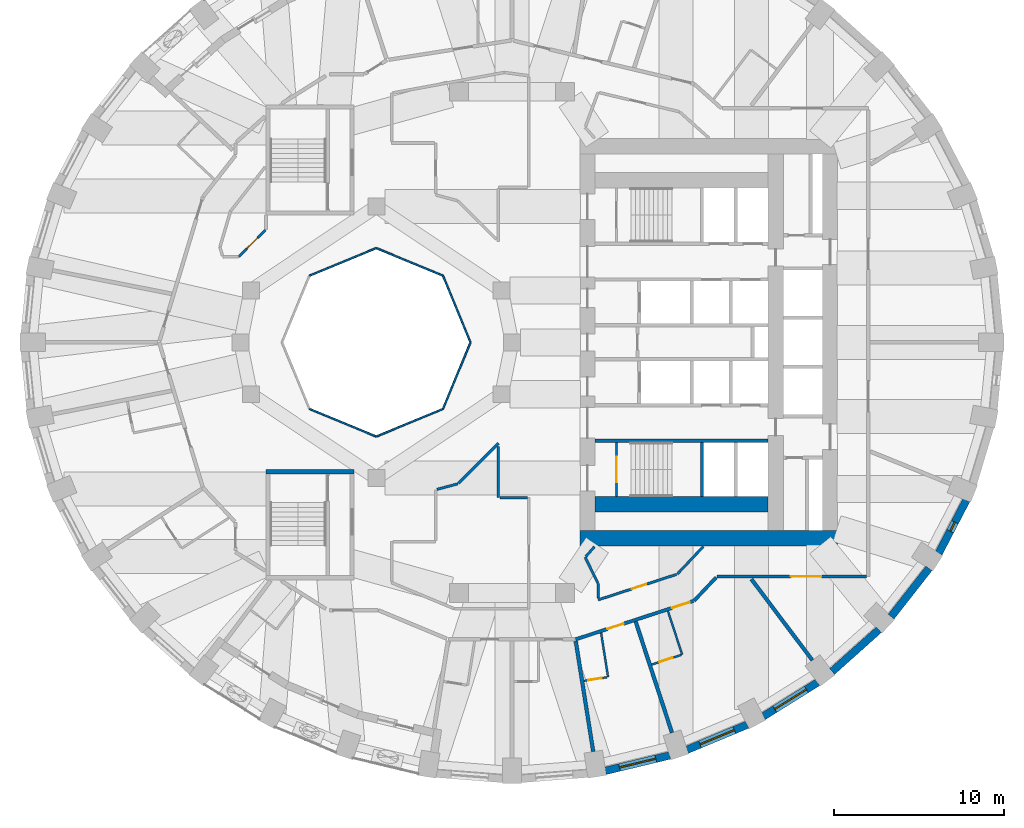
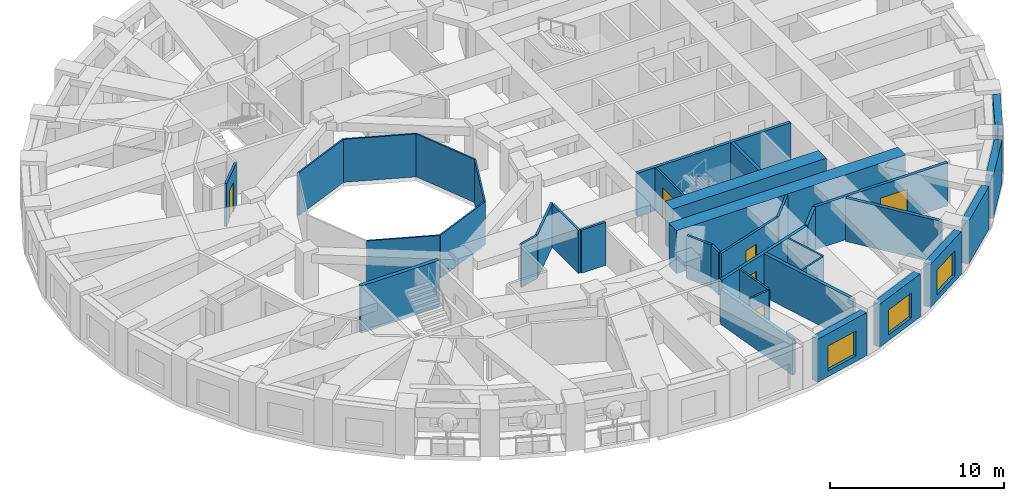
# One storey, part 5 of 13: 38 walls, 8 doors, 4 windows, 12 openings.
"""IFC4 building model written with IfcOpenShell, lengths in metres."""

from ifc_helpers import new_model, si_unit, direction, frame, frame_2d, origin, place, context, subcontext, project, spatial, rectangle, extrude, material, layer, layer_set, type_object, element, fill, save


model = new_model("IFC4")

# Units and contexts
model_context = context("Model", 3, precision=1e-05, world=origin(), true_north=direction((0.0, 1.0)))
body_context = subcontext(model_context, "Body", "Model", "MODEL_VIEW")
ifc_project = project(units=[si_unit("LENGTHUNIT", "METRE"), si_unit("AREAUNIT", "SQUARE_METRE"), si_unit("VOLUMEUNIT", "CUBIC_METRE"), si_unit("PLANEANGLEUNIT", "RADIAN"), si_unit("MASSUNIT", "GRAM", prefix="KILO")], contexts=[model_context])

# Site, building, storey
site_placement = place(None, origin())
site = spatial("IfcSite", under=ifc_project, at=site_placement, CompositionType="ELEMENT")
building_placement = place(site_placement, origin())
building = spatial("IfcBuilding", under=site, at=building_placement, Name="Taillehof Tower", CompositionType="ELEMENT")
storey_placement = place(building_placement, frame((0.0, 0.0, 41.5)))
storey = spatial("IfcBuildingStorey", under=building, at=storey_placement, Name="L10", CompositionType="ELEMENT", Elevation=41.5)

# Walls
ifc_material_1 = material(Name="Fire-resisting glass in steel frame", Category="steel")
ifc_layer_1 = layer(ifc_material_1, 0.10009765625)
ifc_layer_set_1 = layer_set([ifc_layer_1], Name="Atrium fire-resisting screen EI 60 100")
wall_type_1 = type_object("IfcWallType", Name="Atrium fire-resisting screen EI 60 100", PredefinedType="PARTITIONING", material=ifc_layer_set_1)
for number, where, z_axis, x_axis, name in (
    (1, (-2.44580078125, 0.0, 0.0), (0.0, 0.0, 1.0), (-0.382730523909, -0.923860025149, 0.0), "Atrium screen"),
    (2, (-4.07275390625, -3.92724609375, 0.0), (0.0, 0.0, 1.0), (-0.923860025149, -0.382730523909, 0.0), "Atrium screen"),
    (3, (-8.0, -5.55419921875, 0.0), (0.0, 0.0, 1.0), (-0.923860025149, 0.382730523909, 0.0), "Atrium screen"),
    (4, (-11.92724609375, 3.92724609375, 0.0), (0.0, 0.0, 1.0), (0.923860025149, 0.382730523909, 0.0), "Atrium screen"),
    (5, (-8.0, 5.55419921875, 0.0), (0.0, 0.0, 1.0), (0.923860025149, -0.382730523909, 0.0), "Atrium screen"),
    (6, (-4.07275390625, 3.92724609375, 0.0), (0.0, 0.0, 1.0), (0.382730523909, -0.923860025149, 0.0), "Atrium screen"),
):
    element("IfcWall", number, at=place(storey_placement, frame(where, z_axis=z_axis, x_axis=x_axis)), inside=storey, type_object=wall_type_1, Name=name, PredefinedType="PARTITIONING", context=body_context, shape_type="SweptSolid", body=[
        extrude(rectangle(XDim=4.2509765625, YDim=0.10009765625, at=frame_2d((2.12548828125, 0.0))), origin(), (0.0, 0.0, 1.0), 3.02001953125),
    ])

# Wall, opening, window
ifc_material_2 = material(Name="Brick masonry", Category="masonry")
ifc_layer_2 = layer(ifc_material_2, 0.449951171875)
ifc_layer_set_2 = layer_set([ifc_layer_2], Name="Brick infill wall 450")
wall_type_2 = type_object("IfcWallType", Name="Brick infill wall 450", PredefinedType="SOLIDWALL", material=ifc_layer_set_2)
wall_1_placement = place(storey_placement, frame((5.50439453125, -25.260498046875, 0.0), z_axis=(0.0, 0.0, 1.0), x_axis=(0.972496561493, 0.232917233979, 0.0)))
wall_1 = element("IfcWall", 7, at=wall_1_placement, inside=storey, type_object=wall_type_2, Name="Brick wall L10 bay 29", PredefinedType="SOLIDWALL", context=body_context, shape_type="SweptSolid", body=[
    extrude(rectangle(XDim=3.910888671875, YDim=0.449951171875, at=frame_2d((1.95556640625, 0.0))), origin(), (0.0, 0.0, 1.0), 3.02001953125),
])
opening_1_placement = place(wall_1_placement, frame((0.855224609375, 0.0, 0.39990234375)))
opening_1 = element("IfcOpeningElement", 8, at=opening_1_placement, cuts=wall_1, Name="Opening W1", PredefinedType="OPENING", context=body_context, shape_type="SweptSolid", body=[
    extrude(rectangle(XDim=2.199951171875, YDim=1.75, at=frame_2d((1.10009765625, 0.875))), frame((0.0, 0.23486328125, 0.0), z_axis=(0.0, -1.0, 0.0), x_axis=(1.0, 0.0, 0.0)), (0.0, 0.0, 1.0), 0.469970703125),
])
ifc_material_3 = material(Name="Aluminium window frame with clear double glazing", Category="aluminium")
window_type_1 = type_object("IfcWindowType", Name="Deep-set window 2200x1750", PartitioningType="SINGLE_PANEL", PredefinedType="WINDOW", material=ifc_material_3)
window_1_placement = place(opening_1_placement, origin())
window_1 = element("IfcWindow", 9, at=window_1_placement, inside=storey, type_object=window_type_1, Name="W1", OverallHeight=1.75, OverallWidth=2.199951171875, PartitioningType="SINGLE_PANEL", PredefinedType="WINDOW", context=body_context, shape_type="SweptSolid", body=[
    extrude(rectangle(XDim=2.199951171875, YDim=1.75, at=frame_2d((1.10009765625, 0.875))), frame((0.0, 0.034912109375, 0.0), z_axis=(0.0, -1.0, 0.0), x_axis=(1.0, 0.0, 0.0)), (0.0, 0.0, 1.0), 0.06005859375),
])
fill(opening_1, window_1)

wall_2_placement = place(storey_placement, frame((10.3154296875, -24.02099609375, 0.0), z_axis=(0.0, 0.0, 1.0), x_axis=(0.923031964282, 0.384723267966, 0.0)))
wall_2 = element("IfcWall", 10, at=wall_2_placement, inside=storey, type_object=wall_type_2, Name="Brick wall L10 bay 30", PredefinedType="SOLIDWALL", context=body_context, shape_type="SweptSolid", body=[
    extrude(rectangle(XDim=3.8564453125, YDim=0.449951171875, at=frame_2d((1.92822265625, 0.0))), origin(), (0.0, 0.0, 1.0), 3.02001953125),
])
opening_2_placement = place(wall_2_placement, frame((0.828125, 0.0, 0.39990234375)))
opening_2 = element("IfcOpeningElement", 11, at=opening_2_placement, cuts=wall_2, Name="Opening W1", PredefinedType="OPENING", context=body_context, shape_type="SweptSolid", body=[
    extrude(rectangle(XDim=2.199951171875, YDim=1.75, at=frame_2d((1.10009765625, 0.875))), frame((0.0, 0.23486328125, 0.0), z_axis=(0.0, -1.0, 0.0), x_axis=(1.0, 0.0, 0.0)), (0.0, 0.0, 1.0), 0.469970703125),
])
window_2_placement = place(opening_2_placement, origin())
window_2 = element("IfcWindow", 12, at=window_2_placement, inside=storey, type_object=window_type_1, Name="W1", OverallHeight=1.75, OverallWidth=2.199951171875, PartitioningType="SINGLE_PANEL", PredefinedType="WINDOW", context=body_context, shape_type="SweptSolid", body=[
    extrude(rectangle(XDim=2.199951171875, YDim=1.75, at=frame_2d((1.10009765625, 0.875))), frame((0.0, 0.034912109375, 0.0), z_axis=(0.0, -1.0, 0.0), x_axis=(1.0, 0.0, 0.0)), (0.0, 0.0, 1.0), 0.06005859375),
])
fill(opening_2, window_2)

wall_3_placement = place(storey_placement, frame((14.81689453125, -22.050537109375, 0.0), z_axis=(0.0, 0.0, 1.0), x_axis=(0.847635480093, 0.530579016629, 0.0)))
wall_3 = element("IfcWall", 13, at=wall_3_placement, inside=storey, type_object=wall_type_2, Name="Brick wall L10 bay 31", PredefinedType="SOLIDWALL", context=body_context, shape_type="SweptSolid", body=[
    extrude(rectangle(XDim=3.782470703125, YDim=0.449951171875, at=frame_2d((1.89111328125, 0.0))), origin(), (0.0, 0.0, 1.0), 3.02001953125),
])
opening_3_placement = place(wall_3_placement, frame((0.791259765625, 0.0, 0.39990234375)))
opening_3 = element("IfcOpeningElement", 14, at=opening_3_placement, cuts=wall_3, Name="Opening W1", PredefinedType="OPENING", context=body_context, shape_type="SweptSolid", body=[
    extrude(rectangle(XDim=2.199951171875, YDim=1.75, at=frame_2d((1.10009765625, 0.875))), frame((0.0, 0.23486328125, 0.0), z_axis=(0.0, -1.0, 0.0), x_axis=(1.0, 0.0, 0.0)), (0.0, 0.0, 1.0), 0.469970703125),
])
window_3_placement = place(opening_3_placement, origin())
window_3 = element("IfcWindow", 15, at=window_3_placement, inside=storey, type_object=window_type_1, Name="W1", OverallHeight=1.75, OverallWidth=2.199951171875, PartitioningType="SINGLE_PANEL", PredefinedType="WINDOW", context=body_context, shape_type="SweptSolid", body=[
    extrude(rectangle(XDim=2.199951171875, YDim=1.75, at=frame_2d((1.10009765625, 0.875))), frame((0.0, 0.034912109375, 0.0), z_axis=(0.0, -1.0, 0.0), x_axis=(1.0, 0.0, 0.0)), (0.0, 0.0, 1.0), 0.06005859375),
])
fill(opening_3, window_3)

# Walls
wall_4_placement = place(storey_placement, frame((18.87060546875, -19.406982421875, 0.0), z_axis=(0.0, 0.0, 1.0), x_axis=(0.745526233716, 0.66647628228, 0.0)))
element("IfcWall", 16, at=wall_4_placement, inside=storey, type_object=wall_type_2, Name="Brick wall L10 bay 32", PredefinedType="SOLIDWALL", context=body_context, shape_type="SweptSolid", body=[
    extrude(rectangle(XDim=3.69677734375, YDim=0.449951171875, at=frame_2d((1.848388671875, 0.0))), origin(), (0.0, 0.0, 1.0), 3.02001953125),
])
wall_5_placement = place(storey_placement, frame((22.3515625, -16.169677734375, 0.0), z_axis=(0.0, 0.0, 1.0), x_axis=(0.616661975264, 0.787228053529, 0.0)))
element("IfcWall", 17, at=wall_5_placement, inside=storey, type_object=wall_type_2, Name="Brick wall L10 bay 33", PredefinedType="SOLIDWALL", context=body_context, shape_type="SweptSolid", body=[
    extrude(rectangle(XDim=3.60986328125, YDim=0.449951171875, at=frame_2d((1.804931640625, 0.0))), origin(), (0.0, 0.0, 1.0), 3.02001953125),
])

# Wall, opening, window
wall_6_placement = place(storey_placement, frame((25.152099609375, -12.436767578125, 0.0), z_axis=(0.0, 0.0, 1.0), x_axis=(0.462492775226, 0.886623050041, 0.0)))
wall_6 = element("IfcWall", 18, at=wall_6_placement, inside=storey, type_object=wall_type_2, Name="Brick wall L10 bay 34", PredefinedType="SOLIDWALL", context=body_context, shape_type="SweptSolid", body=[
    extrude(rectangle(XDim=3.531982421875, YDim=0.449951171875, at=frame_2d((1.76611328125, 0.0))), origin(), (0.0, 0.0, 1.0), 3.02001953125),
])
opening_4_placement = place(wall_6_placement, frame((1.466064453125, 0.0, 0.39990234375)))
opening_4 = element("IfcOpeningElement", 19, at=opening_4_placement, cuts=wall_6, Name="Opening W6", PredefinedType="OPENING", context=body_context, shape_type="SweptSolid", body=[
    extrude(rectangle(XDim=0.60009765625, YDim=1.75, at=frame_2d((0.300048828125, 0.875))), frame((0.0, 0.23486328125, 0.0), z_axis=(0.0, -1.0, 0.0), x_axis=(1.0, 0.0, 0.0)), (0.0, 0.0, 1.0), 0.469970703125),
])
ifc_material_4 = material(Name="Aluminium window frame with clear double glazing", Category="aluminium")
window_type_2 = type_object("IfcWindowType", Name="Slot window 600x1750", PartitioningType="SINGLE_PANEL", PredefinedType="WINDOW", material=ifc_material_4)
window_4_placement = place(opening_4_placement, origin())
window_4 = element("IfcWindow", 20, at=window_4_placement, inside=storey, type_object=window_type_2, Name="W6", OverallHeight=1.75, OverallWidth=0.60009765625, PartitioningType="SINGLE_PANEL", PredefinedType="WINDOW", context=body_context, shape_type="SweptSolid", body=[
    extrude(rectangle(XDim=0.60009765625, YDim=1.75, at=frame_2d((0.300048828125, 0.875))), frame((0.0, 0.034912109375, 0.0), z_axis=(0.0, -1.0, 0.0), x_axis=(1.0, 0.0, 0.0)), (0.0, 0.0, 1.0), 0.06005859375),
])
fill(opening_4, window_4)

# Wall, opening, door
ifc_material_5 = material(Name="Gypsum board on steel studs, two layers each side", Category="steel")
ifc_layer_3 = layer(ifc_material_5, 0.199951171875)
ifc_layer_set_3 = layer_set([ifc_layer_3], Name="Compartment wall corridor 200")
wall_type_3 = type_object("IfcWallType", Name="Compartment wall corridor 200", PredefinedType="PARTITIONING", material=ifc_layer_set_3)
wall_7_placement = place(storey_placement, frame((20.89990234375, -13.800048828125, 0.0), z_axis=(0.0, 0.0, 1.0), x_axis=(-1.0, 0.0, 0.0)))
wall_7 = element("IfcWall", 21, at=wall_7_placement, inside=storey, type_object=wall_type_3, Name="Compartment wall", PredefinedType="PARTITIONING", context=body_context, shape_type="SweptSolid", body=[
    extrude(rectangle(XDim=8.8115234375, YDim=0.199951171875, at=frame_2d((4.40576171875, 0.0))), origin(), (0.0, 0.0, 1.0), 3.02001953125),
])
opening_5_placement = place(wall_7_placement, frame((2.66357421875, 0.0, 0.0)))
opening_5 = element("IfcOpeningElement", 22, at=opening_5_placement, cuts=wall_7, Name="Opening D1066", PredefinedType="OPENING", context=body_context, shape_type="SweptSolid", body=[
    extrude(rectangle(XDim=1.800048828125, YDim=2.10009765625, at=frame_2d((0.89990234375, 1.050048828125))), frame((0.0, 0.10986328125, 0.0), z_axis=(0.0, -1.0, 0.0), x_axis=(1.0, 0.0, 0.0)), (0.0, 0.0, 1.0), 0.219970703125),
])
ifc_material_6 = material(Name="Timber door leaf in steel frame", Category="steel")
door_type_1 = type_object("IfcDoorType", Name="Lounge and meeting room double door EI 30 1800 x 2100", OperationType="SINGLE_SWING_LEFT", PredefinedType="DOOR", material=ifc_material_6)
door_1_placement = place(opening_5_placement, origin())
door_1 = element("IfcDoor", 23, at=door_1_placement, inside=storey, type_object=door_type_1, Name="D1066", OperationType="DOUBLE_DOOR_SINGLE_SWING", OverallHeight=2.10009765625, OverallWidth=1.800048828125, PredefinedType="DOOR", context=body_context, shape_type="SweptSolid", body=[
    extrude(rectangle(XDim=1.800048828125, YDim=2.10009765625, at=frame_2d((0.89990234375, 1.050048828125))), frame((0.0, 0.02490234375, 0.0), z_axis=(0.0, -1.0, 0.0), x_axis=(1.0, 0.0, 0.0)), (0.0, 0.0, 1.0), 0.050048828125),
])
fill(opening_5, door_1)

# Wall
wall_8_placement = place(storey_placement, frame((12.03369140625, -13.857666015625, 0.0), z_axis=(0.0, 0.0, 1.0), x_axis=(-0.687458821662, -0.726223359938, 0.0)))
element("IfcWall", 24, at=wall_8_placement, inside=storey, type_object=wall_type_3, Name="Compartment wall", PredefinedType="PARTITIONING", context=body_context, shape_type="SweptSolid", body=[
    extrude(rectangle(XDim=1.895751953125, YDim=0.199951171875, at=frame_2d((0.94775390625, 0.0))), origin(), (0.0, 0.0, 1.0), 3.02001953125),
])

# Wall, openings, doors
wall_9_placement = place(storey_placement, frame((10.6923828125, -15.24658203125, 0.0), z_axis=(0.0, 0.0, 1.0), x_axis=(-0.950852414815, -0.309644449718, 0.0)))
wall_9 = element("IfcWall", 25, at=wall_9_placement, inside=storey, type_object=wall_type_3, Name="Compartment wall", PredefinedType="PARTITIONING", context=body_context, shape_type="SweptSolid", body=[
    extrude(rectangle(XDim=7.295654296875, YDim=0.199951171875, at=frame_2d((3.64794921875, 0.0))), origin(), (0.0, 0.0, 1.0), 3.02001953125),
])
opening_6_placement = place(wall_9_placement, frame((4.326904296875, 0.0, 0.0)))
opening_6 = element("IfcOpeningElement", 26, at=opening_6_placement, cuts=wall_9, Name="Opening D1062", PredefinedType="OPENING", context=body_context, shape_type="SweptSolid", body=[
    extrude(rectangle(XDim=1.0, YDim=2.10009765625, at=frame_2d((0.5, 1.050048828125))), frame((0.0, 0.10986328125, 0.0), z_axis=(0.0, -1.0, 0.0), x_axis=(1.0, 0.0, 0.0)), (0.0, 0.0, 1.0), 0.219970703125),
])
opening_7_placement = place(wall_9_placement, frame((0.219970703125, 0.0, 0.0)))
opening_7 = element("IfcOpeningElement", 27, at=opening_7_placement, cuts=wall_9, Name="Opening D1064", PredefinedType="OPENING", context=body_context, shape_type="SweptSolid", body=[
    extrude(rectangle(XDim=1.10009765625, YDim=2.10009765625, at=frame_2d((0.550048828125, 1.050048828125))), frame((0.0, 0.10986328125, 0.0), z_axis=(0.0, -1.0, 0.0), x_axis=(1.0, 0.0, 0.0)), (0.0, 0.0, 1.0), 0.219970703125),
])
ifc_material_7 = material(Name="Timber door leaf in steel frame", Category="steel")
door_type_2 = type_object("IfcDoorType", Name="Guest room door EI 30 1000 x 2100", OperationType="SINGLE_SWING_LEFT", PredefinedType="DOOR", material=ifc_material_7)
door_2_placement = place(opening_6_placement, origin())
door_2 = element("IfcDoor", 28, at=door_2_placement, inside=storey, type_object=door_type_2, Name="D1062", OperationType="SINGLE_SWING_RIGHT", OverallHeight=2.10009765625, OverallWidth=1.0, PredefinedType="DOOR", context=body_context, shape_type="SweptSolid", body=[
    extrude(rectangle(XDim=1.0, YDim=2.10009765625, at=frame_2d((0.5, 1.050048828125))), frame((0.0, 0.02490234375, 0.0), z_axis=(0.0, -1.0, 0.0), x_axis=(1.0, 0.0, 0.0)), (0.0, 0.0, 1.0), 0.050048828125),
])
fill(opening_6, door_2)
ifc_material_8 = material(Name="Timber door leaf in steel frame", Category="steel")
door_type_3 = type_object("IfcDoorType", Name="Suite entrance door EI 30 1100 x 2100", OperationType="SINGLE_SWING_LEFT", PredefinedType="DOOR", material=ifc_material_8)
door_3_placement = place(opening_7_placement, origin())
door_3 = element("IfcDoor", 29, at=door_3_placement, inside=storey, type_object=door_type_3, Name="D1064", OperationType="SINGLE_SWING_RIGHT", OverallHeight=2.10009765625, OverallWidth=1.10009765625, PredefinedType="DOOR", context=body_context, shape_type="SweptSolid", body=[
    extrude(rectangle(XDim=1.10009765625, YDim=2.10009765625, at=frame_2d((0.550048828125, 1.050048828125))), frame((0.0, 0.02490234375, 0.0), z_axis=(0.0, -1.0, 0.0), x_axis=(1.0, 0.0, 0.0)), (0.0, 0.0, 1.0), 0.050048828125),
])
fill(opening_7, door_3)

# Walls
ifc_material_9 = material(Name="Gypsum board on double steel studs with mineral wool", Category="steel")
ifc_layer_4 = layer(ifc_material_9, 0.219970703125)
ifc_layer_set_4 = layer_set([ifc_layer_4], Name="Compartment wall guest room 220")
wall_type_4 = type_object("IfcWallType", Name="Compartment wall guest room 220", PredefinedType="PARTITIONING", material=ifc_layer_set_4)
wall_10_placement = place(storey_placement, frame((4.788330078125, -24.12548828125, 0.0), z_axis=(0.0, 0.0, 1.0), x_axis=(-0.156122228938, 0.987737743347, 0.0)))
element("IfcWall", 30, at=wall_10_placement, inside=storey, type_object=wall_type_4, Name="Compartment wall", PredefinedType="PARTITIONING", context=body_context, shape_type="SweptSolid", body=[
    extrude(rectangle(XDim=6.595947265625, YDim=0.219970703125, at=frame_2d((3.2978515625, 0.0))), origin(), (0.0, 0.0, 1.0), 2.469970703125),
])
wall_11_placement = place(storey_placement, frame((9.429443359375, -23.01416015625, 0.0), z_axis=(0.0, 0.0, 1.0), x_axis=(-0.310230029144, 0.950661521793, 0.0)))
element("IfcWall", 31, at=wall_11_placement, inside=storey, type_object=wall_type_4, Name="Compartment wall", PredefinedType="PARTITIONING", context=body_context, shape_type="SweptSolid", body=[
    extrude(rectangle(XDim=6.89453125, YDim=0.219970703125, at=frame_2d((3.447265625, 0.0))), origin(), (0.0, 0.0, 1.0), 3.02001953125),
])
wall_12_placement = place(storey_placement, frame((17.707763671875, -18.7431640625, 0.0), z_axis=(0.0, 0.0, 1.0), x_axis=(-0.601181461694, 0.799112539081, 0.0)))
element("IfcWall", 32, at=wall_12_placement, inside=storey, type_object=wall_type_4, Name="Compartment wall", PredefinedType="PARTITIONING", context=body_context, shape_type="SweptSolid", body=[
    extrude(rectangle(XDim=5.98095703125, YDim=0.219970703125, at=frame_2d((2.990478515625, 0.0))), origin(), (0.0, 0.0, 1.0), 3.02001953125),
])

# Wall, opening, door
ifc_material_10 = material(Name="Gypsum board on steel studs, two layers each side", Category="steel")
ifc_layer_5 = layer(ifc_material_10, 0.14990234375)
ifc_layer_set_5 = layer_set([ifc_layer_5], Name="Compartment wall service room 150")
wall_type_5 = type_object("IfcWallType", Name="Compartment wall service room 150", PredefinedType="PARTITIONING", material=ifc_layer_set_5)
wall_13_placement = place(storey_placement, frame((-14.54248046875, 6.609619140625, 0.0), z_axis=(0.0, 0.0, 1.0), x_axis=(-0.707106781187, -0.707106781187, 0.0)))
wall_13 = element("IfcWall", 33, at=wall_13_placement, inside=storey, type_object=wall_type_5, Name="Compartment wall", PredefinedType="PARTITIONING", context=body_context, shape_type="SweptSolid", body=[
    extrude(rectangle(XDim=2.194580078125, YDim=0.14990234375, at=frame_2d((1.09716796875, 0.0))), origin(), (0.0, 0.0, 1.0), 3.02001953125),
])
opening_8_placement = place(wall_13_placement, frame((0.647216796875, 0.0, 0.0)))
opening_8 = element("IfcOpeningElement", 34, at=opening_8_placement, cuts=wall_13, Name="Opening D1072", PredefinedType="OPENING", context=body_context, shape_type="SweptSolid", body=[
    extrude(rectangle(XDim=0.89990234375, YDim=2.10009765625, at=frame_2d((0.449951171875, 1.050048828125))), frame((0.0, 0.0849609375, 0.0), z_axis=(0.0, -1.0, 0.0), x_axis=(1.0, 0.0, 0.0)), (0.0, 0.0, 1.0), 0.169921875),
])
ifc_material_11 = material(Name="Timber door leaf in steel frame", Category="steel")
door_type_4 = type_object("IfcDoorType", Name="Service room door EI 30 900 x 2100", OperationType="SINGLE_SWING_LEFT", PredefinedType="DOOR", material=ifc_material_11)
door_4_placement = place(opening_8_placement, origin())
door_4 = element("IfcDoor", 35, at=door_4_placement, inside=storey, type_object=door_type_4, Name="D1072", OperationType="SINGLE_SWING_RIGHT", OverallHeight=2.10009765625, OverallWidth=0.89990234375, PredefinedType="DOOR", context=body_context, shape_type="SweptSolid", body=[
    extrude(rectangle(XDim=0.89990234375, YDim=2.10009765625, at=frame_2d((0.449951171875, 1.050048828125))), frame((0.0, 0.02490234375, 0.0), z_axis=(0.0, -1.0, 0.0), x_axis=(1.0, 0.0, 0.0)), (0.0, 0.0, 1.0), 0.050048828125),
])
fill(opening_8, door_4)

# Walls
wall_14_placement = place(storey_placement, frame((-4.4228515625, -8.669677734375, 0.0), z_axis=(0.0, 0.0, 1.0), x_axis=(0.965898680525, 0.258920333232, 0.0)))
element("IfcWall", 36, at=wall_14_placement, inside=storey, type_object=wall_type_5, Name="Compartment wall", PredefinedType="PARTITIONING", context=body_context, shape_type="SweptSolid", body=[
    extrude(rectangle(XDim=1.280517578125, YDim=0.14990234375, at=frame_2d((0.64013671875, 0.0))), origin(), (0.0, 0.0, 1.0), 3.02001953125),
])
wall_15_placement = place(storey_placement, frame((-3.15771484375, -8.309814453125, 0.0), z_axis=(0.0, 0.0, 1.0), x_axis=(0.707106781187, 0.707106781187, 0.0)))
element("IfcWall", 37, at=wall_15_placement, inside=storey, type_object=wall_type_5, Name="Compartment wall", PredefinedType="PARTITIONING", context=body_context, shape_type="SweptSolid", body=[
    extrude(rectangle(XDim=3.334228515625, YDim=0.14990234375, at=frame_2d((1.6669921875, 0.0))), origin(), (0.0, 0.0, 1.0), 3.02001953125),
])
wall_16_placement = place(storey_placement, frame((-0.800048828125, -6.13232421875, 0.0), z_axis=(0.0, 0.0, 1.0), x_axis=(0.0, -1.0, 0.0)))
element("IfcWall", 38, at=wall_16_placement, inside=storey, type_object=wall_type_5, Name="Compartment wall", PredefinedType="PARTITIONING", context=body_context, shape_type="SweptSolid", body=[
    extrude(rectangle(XDim=3.017578125, YDim=0.14990234375, at=frame_2d((1.5087890625, 0.0))), origin(), (0.0, 0.0, 1.0), 3.02001953125),
])
wall_17_placement = place(storey_placement, frame((-0.719970703125, -9.14990234375, 0.0), z_axis=(0.0, 0.0, 1.0), x_axis=(1.0, 0.0, 0.0)))
element("IfcWall", 39, at=wall_17_placement, inside=storey, type_object=wall_type_5, Name="Compartment wall", PredefinedType="PARTITIONING", context=body_context, shape_type="SweptSolid", body=[
    extrude(rectangle(XDim=1.639892578125, YDim=0.14990234375, at=frame_2d((0.81982421875, 0.0))), origin(), (0.0, 0.0, 1.0), 3.02001953125),
])
wall_18_placement = place(storey_placement, frame((11.273193359375, -12.042724609375, 0.0), z_axis=(0.0, 0.0, 1.0), x_axis=(-0.687435283659, -0.7262456408, 0.0)))
element("IfcWall", 40, at=wall_18_placement, inside=storey, type_object=wall_type_5, Name="Compartment wall", PredefinedType="PARTITIONING", context=body_context, shape_type="SweptSolid", body=[
    extrude(rectangle(XDim=2.233154296875, YDim=0.14990234375, at=frame_2d((1.11669921875, 0.0))), origin(), (0.0, 0.0, 1.0), 3.02001953125),
])

# Wall, opening, door
wall_19_placement = place(storey_placement, frame((9.699951171875, -13.6767578125, 0.0), z_axis=(0.0, 0.0, 1.0), x_axis=(-0.950854246358, -0.309638825381, 0.0)))
wall_19 = element("IfcWall", 41, at=wall_19_placement, inside=storey, type_object=wall_type_5, Name="Compartment wall", PredefinedType="PARTITIONING", context=body_context, shape_type="SweptSolid", body=[
    extrude(rectangle(XDim=4.86328125, YDim=0.14990234375, at=frame_2d((2.431640625, 0.0))), origin(), (0.0, 0.0, 1.0), 3.02001953125),
])
opening_9_placement = place(wall_19_placement, frame((1.8779296875, 0.0, 0.0)))
opening_9 = element("IfcOpeningElement", 42, at=opening_9_placement, cuts=wall_19, Name="Opening D1074", PredefinedType="OPENING", context=body_context, shape_type="SweptSolid", body=[
    extrude(rectangle(XDim=0.89990234375, YDim=2.10009765625, at=frame_2d((0.449951171875, 1.050048828125))), frame((0.0, 0.0849609375, 0.0), z_axis=(0.0, -1.0, 0.0), x_axis=(1.0, 0.0, 0.0)), (0.0, 0.0, 1.0), 0.169921875),
])
door_5_placement = place(opening_9_placement, origin())
door_5 = element("IfcDoor", 43, at=door_5_placement, inside=storey, type_object=door_type_4, Name="D1074", OperationType="SINGLE_SWING_RIGHT", OverallHeight=2.10009765625, OverallWidth=0.89990234375, PredefinedType="DOOR", context=body_context, shape_type="SweptSolid", body=[
    extrude(rectangle(XDim=0.89990234375, YDim=2.10009765625, at=frame_2d((0.449951171875, 1.050048828125))), frame((0.0, 0.02490234375, 0.0), z_axis=(0.0, -1.0, 0.0), x_axis=(1.0, 0.0, 0.0)), (0.0, 0.0, 1.0), 0.050048828125),
])
fill(opening_9, door_5)

# Walls
wall_20_placement = place(storey_placement, frame((5.07568359375, -15.08251953125, 0.0), z_axis=(0.0, 0.0, 1.0), x_axis=(0.0, 1.0, 0.0)))
element("IfcWall", 44, at=wall_20_placement, inside=storey, type_object=wall_type_5, Name="Compartment wall", PredefinedType="PARTITIONING", context=body_context, shape_type="SweptSolid", body=[
    extrude(rectangle(XDim=0.8603515625, YDim=0.14990234375, at=frame_2d((0.43017578125, 0.0))), origin(), (0.0, 0.0, 1.0), 3.02001953125),
])
wall_21_placement = place(storey_placement, frame((5.05810546875, -14.18603515625, 0.0), z_axis=(0.0, 0.0, 1.0), x_axis=(-0.440556792244, 0.897724742228, 0.0)))
element("IfcWall", 45, at=wall_21_placement, inside=storey, type_object=wall_type_5, Name="Compartment wall", PredefinedType="PARTITIONING", context=body_context, shape_type="SweptSolid", body=[
    extrude(rectangle(XDim=1.690185546875, YDim=0.14990234375, at=frame_2d((0.84521484375, 0.0))), origin(), (0.0, 0.0, 1.0), 3.02001953125),
])
wall_22_placement = place(storey_placement, frame((4.35302734375, -12.623291015625, 0.0), z_axis=(0.0, 0.0, 1.0), x_axis=(0.660265480509, 0.751032286422, 0.0)))
element("IfcWall", 46, at=wall_22_placement, inside=storey, type_object=wall_type_5, Name="Compartment wall", PredefinedType="PARTITIONING", context=body_context, shape_type="SweptSolid", body=[
    extrude(rectangle(XDim=0.774658203125, YDim=0.14990234375, at=frame_2d((0.38720703125, 0.0))), origin(), (0.0, 0.0, 1.0), 2.570068359375),
])
ifc_material_12 = material(Name="Concrete C80/95", Category="concrete")
ifc_layer_6 = layer(ifc_material_12, 0.89990234375)
ifc_layer_set_6 = layer_set([ifc_layer_6], Name="Core wall C80/95 900")
wall_type_6 = type_object("IfcWallType", Name="Core wall C80/95 900", PredefinedType="SHEAR", material=ifc_layer_set_6)
wall_23_placement = place(storey_placement, frame((4.0, -11.550048828125, 0.0), z_axis=(0.0, 0.0, 1.0), x_axis=(1.0, 0.0, 0.0)))
element("IfcWall", 47, at=wall_23_placement, inside=storey, type_object=wall_type_6, Name="Core wall CW04", PredefinedType="SHEAR", context=body_context, shape_type="SweptSolid", body=[
    extrude(rectangle(XDim=15.199951171875, YDim=0.89990234375, at=frame_2d((7.60009765625, 0.0))), origin(), (0.0, 0.0, 1.0), 3.02001953125),
])
wall_24_placement = place(storey_placement, frame((4.89990234375, -9.550048828125, 0.0), z_axis=(0.0, 0.0, 1.0), x_axis=(1.0, 0.0, 0.0)))
element("IfcWall", 48, at=wall_24_placement, inside=storey, type_object=wall_type_6, Name="Core wall CW07", PredefinedType="SHEAR", context=body_context, shape_type="SweptSolid", body=[
    extrude(rectangle(XDim=10.2001953125, YDim=0.89990234375, at=frame_2d((5.10009765625, 0.0))), origin(), (0.0, 0.0, 1.0), 3.02001953125),
])
ifc_material_13 = material(Name="Gypsum board on steel studs, moisture resistant", Category="steel")
ifc_layer_7 = layer(ifc_material_13, 0.1201171875)
ifc_layer_set_7 = layer_set([ifc_layer_7], Name="En-suite wall 120")
wall_type_7 = type_object("IfcWallType", Name="En-suite wall 120", PredefinedType="PARTITIONING", material=ifc_layer_set_7)
wall_25_placement = place(storey_placement, frame((5.2509765625, -17.123779296875, 0.0), z_axis=(0.0, 0.0, 1.0), x_axis=(0.156104955519, -0.987740473435, 0.0)))
element("IfcWall", 49, at=wall_25_placement, inside=storey, type_object=wall_type_7, Name="En-suite wall", PredefinedType="PARTITIONING", context=body_context, shape_type="SweptSolid", body=[
    extrude(rectangle(XDim=2.6416015625, YDim=0.1201171875, at=frame_2d((1.32080078125, 0.0))), origin(), (0.0, 0.0, 1.0), 3.02001953125),
])
wall_26_placement = place(storey_placement, frame((9.192138671875, -15.84033203125, 0.0), z_axis=(0.0, 0.0, 1.0), x_axis=(0.310278328391, -0.950645758909, 0.0)))
element("IfcWall", 50, at=wall_26_placement, inside=storey, type_object=wall_type_7, Name="En-suite wall", PredefinedType="PARTITIONING", context=body_context, shape_type="SweptSolid", body=[
    extrude(rectangle(XDim=2.698974609375, YDim=0.1201171875, at=frame_2d((1.349609375, 0.0))), origin(), (0.0, 0.0, 1.0), 3.02001953125),
])

# Wall, opening, door
wall_27_placement = place(storey_placement, frame((5.60400390625, -19.7421875, 0.0), z_axis=(0.0, 0.0, 1.0), x_axis=(-0.987722767831, -0.156216945011, 0.0)))
wall_27 = element("IfcWall", 51, at=wall_27_placement, inside=storey, type_object=wall_type_7, Name="En-suite wall", PredefinedType="PARTITIONING", context=body_context, shape_type="SweptSolid", body=[
    extrude(rectangle(XDim=1.3798828125, YDim=0.1201171875, at=frame_2d((0.68994140625, 0.0))), origin(), (0.0, 0.0, 1.0), 3.02001953125),
])
opening_10_placement = place(wall_27_placement, frame((0.31494140625, 0.0, 0.0)))
opening_10 = element("IfcOpeningElement", 52, at=opening_10_placement, cuts=wall_27, Name="Opening D1063", PredefinedType="OPENING", context=body_context, shape_type="SweptSolid", body=[
    extrude(rectangle(XDim=0.800048828125, YDim=2.10009765625, at=frame_2d((0.39990234375, 1.050048828125))), frame((0.0, 0.070068359375, 0.0), z_axis=(0.0, -1.0, 0.0), x_axis=(1.0, 0.0, 0.0)), (0.0, 0.0, 1.0), 0.14013671875),
])
ifc_material_14 = material(Name="Timber door leaf in steel frame", Category="steel")
door_type_5 = type_object("IfcDoorType", Name="En-suite door 800 x 2100", OperationType="SINGLE_SWING_LEFT", PredefinedType="DOOR", material=ifc_material_14)
door_6_placement = place(opening_10_placement, origin())
door_6 = element("IfcDoor", 53, at=door_6_placement, inside=storey, type_object=door_type_5, Name="D1063", OperationType="SINGLE_SWING_RIGHT", OverallHeight=2.10009765625, OverallWidth=0.800048828125, PredefinedType="DOOR", context=body_context, shape_type="SweptSolid", body=[
    extrude(rectangle(XDim=0.800048828125, YDim=2.10009765625, at=frame_2d((0.39990234375, 1.050048828125))), frame((0.0, 0.02490234375, 0.0), z_axis=(0.0, -1.0, 0.0), x_axis=(1.0, 0.0, 0.0)), (0.0, 0.0, 1.0), 0.050048828125),
])
fill(opening_10, door_6)

wall_28_placement = place(storey_placement, frame((9.972412109375, -18.424560546875, 0.0), z_axis=(0.0, 0.0, 1.0), x_axis=(-0.950678536911, -0.31017788357, 0.0)))
wall_28 = element("IfcWall", 54, at=wall_28_placement, inside=storey, type_object=wall_type_7, Name="En-suite wall", PredefinedType="PARTITIONING", context=body_context, shape_type="SweptSolid", body=[
    extrude(rectangle(XDim=1.830078125, YDim=0.1201171875, at=frame_2d((0.9150390625, 0.0))), origin(), (0.0, 0.0, 1.0), 3.02001953125),
])
opening_11_placement = place(wall_28_placement, frame((0.5400390625, 0.0, 0.0)))
opening_11 = element("IfcOpeningElement", 55, at=opening_11_placement, cuts=wall_28, Name="Opening D1065", PredefinedType="OPENING", context=body_context, shape_type="SweptSolid", body=[
    extrude(rectangle(XDim=0.800048828125, YDim=2.10009765625, at=frame_2d((0.39990234375, 1.050048828125))), frame((0.0, 0.070068359375, 0.0), z_axis=(0.0, -1.0, 0.0), x_axis=(1.0, 0.0, 0.0)), (0.0, 0.0, 1.0), 0.14013671875),
])
door_7_placement = place(opening_11_placement, origin())
door_7 = element("IfcDoor", 56, at=door_7_placement, inside=storey, type_object=door_type_5, Name="D1065", OperationType="SINGLE_SWING_RIGHT", OverallHeight=2.10009765625, OverallWidth=0.800048828125, PredefinedType="DOOR", context=body_context, shape_type="SweptSolid", body=[
    extrude(rectangle(XDim=0.800048828125, YDim=2.10009765625, at=frame_2d((0.39990234375, 1.050048828125))), frame((0.0, 0.02490234375, 0.0), z_axis=(0.0, -1.0, 0.0), x_axis=(1.0, 0.0, 0.0)), (0.0, 0.0, 1.0), 0.050048828125),
])
fill(opening_11, door_7)

# Walls
ifc_material_15 = material(Name="Concrete C50/60", Category="concrete")
ifc_layer_8 = layer(ifc_material_15, 0.199951171875)
ifc_layer_set_8 = layer_set([ifc_layer_8], Name="Shaft wall C50/60 200")
wall_type_8 = type_object("IfcWallType", Name="Shaft wall C50/60 200", PredefinedType="SHEAR", material=ifc_layer_set_8)
wall_29_placement = place(storey_placement, frame((4.89990234375, -5.800048828125, 0.0), z_axis=(0.0, 0.0, 1.0), x_axis=(1.0, 0.0, 0.0)))
element("IfcWall", 57, at=wall_29_placement, inside=storey, type_object=wall_type_8, Name="Shaft wall SW", PredefinedType="SHEAR", context=body_context, shape_type="SweptSolid", body=[
    extrude(rectangle(XDim=10.2001953125, YDim=0.199951171875, at=frame_2d((5.10009765625, 0.0))), origin(), (0.0, 0.0, 1.0), 3.02001953125),
])
wall_30_placement = place(storey_placement, frame((11.199951171875, -9.10009765625, 0.0), z_axis=(0.0, 0.0, 1.0), x_axis=(0.0, 1.0, 0.0)))
element("IfcWall", 58, at=wall_30_placement, inside=storey, type_object=wall_type_8, Name="Shaft wall SW", PredefinedType="SHEAR", context=body_context, shape_type="SweptSolid", body=[
    extrude(rectangle(XDim=3.2001953125, YDim=0.199951171875, at=frame_2d((1.60009765625, 0.0))), origin(), (0.0, 0.0, 1.0), 3.02001953125),
])

# Wall, opening, door
ifc_material_16 = material(Name="Concrete C50/60", Category="concrete")
ifc_layer_9 = layer(ifc_material_16, 0.1201171875)
ifc_layer_set_9 = layer_set([ifc_layer_9], Name="Stair lobby wall C50/60 120")
wall_type_9 = type_object("IfcWallType", Name="Stair lobby wall C50/60 120", PredefinedType="SHEAR", material=ifc_layer_set_9)
wall_31_placement = place(storey_placement, frame((6.159912109375, -9.10009765625, 0.0), z_axis=(0.0, 0.0, 1.0), x_axis=(0.0, 1.0, 0.0)))
wall_31 = element("IfcWall", 59, at=wall_31_placement, inside=storey, type_object=wall_type_9, Name="Compartment wall SW", PredefinedType="SHEAR", context=body_context, shape_type="SweptSolid", body=[
    extrude(rectangle(XDim=3.2001953125, YDim=0.1201171875, at=frame_2d((1.60009765625, 0.0))), origin(), (0.0, 0.0, 1.0), 3.02001953125),
])
opening_12_placement = place(wall_31_placement, frame((0.85009765625, 0.0, 0.0)))
opening_12 = element("IfcOpeningElement", 60, at=opening_12_placement, cuts=wall_31, Name="Opening D1011", PredefinedType="OPENING", context=body_context, shape_type="SweptSolid", body=[
    extrude(rectangle(XDim=1.5, YDim=2.10009765625, at=frame_2d((0.75, 1.050048828125))), frame((0.0, 0.070068359375, 0.0), z_axis=(0.0, -1.0, 0.0), x_axis=(1.0, 0.0, 0.0)), (0.0, 0.0, 1.0), 0.14013671875),
])
ifc_material_17 = material(Name="Steel-faced fire door", Category="steel")
door_type_6 = type_object("IfcDoorType", Name="Stair door 1500x2100", OperationType="DOUBLE_DOOR_SINGLE_SWING", PredefinedType="DOOR", material=ifc_material_17)
door_8_placement = place(opening_12_placement, origin())
door_8 = element("IfcDoor", 61, at=door_8_placement, inside=storey, type_object=door_type_6, Name="Stair lobby door S2", OperationType="DOUBLE_DOOR_SINGLE_SWING", OverallHeight=2.10009765625, OverallWidth=1.5, PredefinedType="DOOR", context=body_context, shape_type="SweptSolid", body=[
    extrude(rectangle(XDim=1.5, YDim=2.10009765625, at=frame_2d((0.75, 1.050048828125))), frame((0.0, 0.02490234375, 0.0), z_axis=(0.0, -1.0, 0.0), x_axis=(1.0, 0.0, 0.0)), (0.0, 0.0, 1.0), 0.050048828125),
])
fill(opening_12, door_8)

# Wall
ifc_material_18 = material(Name="Concrete C50/60", Category="concrete")
ifc_layer_10 = layer(ifc_material_18, 0.25)
ifc_layer_set_10 = layer_set([ifc_layer_10], Name="Stair wall C50/60 250")
wall_type_10 = type_object("IfcWallType", Name="Stair wall C50/60 250", PredefinedType="SHEAR", material=ifc_layer_set_10)
wall_32_placement = place(storey_placement, frame((-14.5, -7.625, -0.280029296875), z_axis=(0.0, 0.0, 1.0), x_axis=(1.0, 0.0, 0.0)))
element("IfcWall", 62, at=wall_32_placement, inside=storey, type_object=wall_type_10, Name="Stair wall SC", PredefinedType="SHEAR", context=body_context, shape_type="SweptSolid", body=[
    extrude(rectangle(XDim=5.199951171875, YDim=0.25, at=frame_2d((2.60009765625, 0.0))), origin(), (0.0, 0.0, 1.0), 3.300048828125),
])

save(model, "model.ifc")
